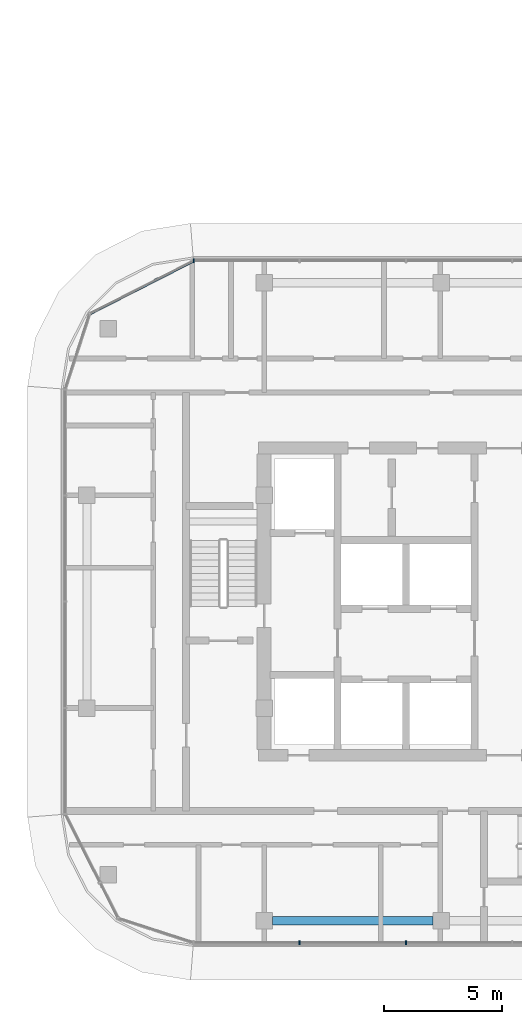
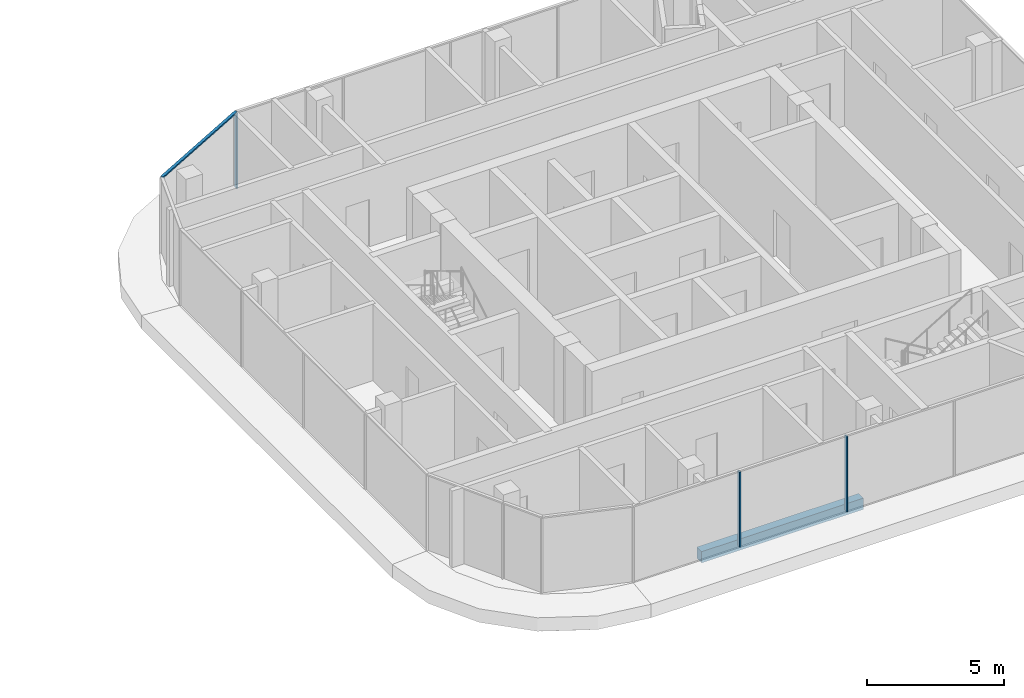
# One storey, part 10 of 40: 4 members, 1 beam, 3 elements without a shape of their own.
"""IFC4 building model written with IfcOpenShell, lengths in metres."""

from ifc_helpers import new_model, si_unit, direction, frame, origin, origin_2d, place, context, subcontext, project, spatial, rectangle, extrude, material, material_profile, profile_set, type_object, element, aggregate, save


model = new_model("IFC4")

# Units and contexts
model_context = context("Model", 3, precision=1e-05, world=origin(), true_north=direction((0.0, 1.0)))
body_context = subcontext(model_context, "Body", "Model", "MODEL_VIEW")
ifc_project = project(units=[si_unit("LENGTHUNIT", "METRE"), si_unit("AREAUNIT", "SQUARE_METRE"), si_unit("VOLUMEUNIT", "CUBIC_METRE"), si_unit("PLANEANGLEUNIT", "RADIAN"), si_unit("MASSUNIT", "GRAM", prefix="KILO")], contexts=[model_context])

# Site, building, storey
site_placement = place(None, origin())
site = spatial("IfcSite", under=ifc_project, at=site_placement, CompositionType="ELEMENT")
building_placement = place(site_placement, origin())
building = spatial("IfcBuilding", under=site, at=building_placement, Name="Ogive Portal Towers", CompositionType="ELEMENT")
storey_placement = place(building_placement, frame((0.0, 0.0, 87.10009765625)))
storey = spatial("IfcBuildingStorey", under=building, at=storey_placement, Name="L20", CompositionType="ELEMENT", Elevation=87.10009765625)

# Curtain wall, members
ifc_material_1 = material(Name="Glass, clear low-iron insulated glazing", Category="glass")
curtain_wall_type = type_object("IfcCurtainWallType", Name="CW RESIDENCES RIBBON", PredefinedType="NOTDEFINED", material=ifc_material_1)
curtain_wall_1_placement = place(storey_placement, origin())
curtain_wall_1 = element("IfcCurtainWall", 1, at=curtain_wall_1_placement, inside=storey, type_object=curtain_wall_type, Name="B:L20:f02:cw0", PredefinedType="NOTDEFINED")
ifc_material_2 = material(Name="Aluminium 6063 anodised", Category="aluminium")
ifc_material_profile_1 = material_profile(ifc_material_2, rectangle(XDim=0.159912109375, YDim=0.06005859375, at=origin_2d()), Name="AL 60x160")
ifc_profile_set_1 = profile_set([ifc_material_profile_1], Name="Aluminium 6063 anodised")
member_type_1 = type_object("IfcMemberType", Name="CW MULLION 60x160", PredefinedType="MULLION", material=ifc_profile_set_1)
member_1_placement = place(storey_placement, frame((130.5, 16.570068359375, 0.0), z_axis=(0.0, 0.0, 1.0), x_axis=(0.0, 1.0, 0.0)))
member_1 = element("IfcMember", 2, at=member_1_placement, type_object=member_type_1, Name="mullion", PredefinedType="MULLION", context=body_context, shape_type="SweptSolid", body=[
    extrude(rectangle(XDim=0.159912109375, YDim=0.06005859375, at=origin_2d()), origin(), (0.0, 0.0, 1.0), 3.33984375),
])
member_2_placement = place(storey_placement, frame((135.0, 16.570068359375, 0.0), z_axis=(0.0, 0.0, 1.0), x_axis=(0.0, 1.0, 0.0)))
member_2 = element("IfcMember", 3, at=member_2_placement, type_object=member_type_1, Name="mullion", PredefinedType="MULLION", context=body_context, shape_type="SweptSolid", body=[
    extrude(rectangle(XDim=0.159912109375, YDim=0.06005859375, at=origin_2d()), origin(), (0.0, 0.0, 1.0), 3.33984375),
])
aggregate(curtain_wall_1, [member_1, member_2])

# Curtain wall, member
curtain_wall_2_placement = place(storey_placement, origin())
curtain_wall_2 = element("IfcCurtainWall", 4, at=curtain_wall_2_placement, inside=storey, type_object=curtain_wall_type, Name="B:L20:f08:cw0", PredefinedType="NOTDEFINED")
member_3_placement = place(storey_placement, frame((126.019287109375, 45.429931640625, 0.0), z_axis=(0.0, 0.0, 1.0), x_axis=(0.0, -1.0, 0.0)))
member_3 = element("IfcMember", 5, at=member_3_placement, type_object=member_type_1, Name="mullion", PredefinedType="MULLION", context=body_context, shape_type="SweptSolid", body=[
    extrude(rectangle(XDim=0.159912109375, YDim=0.06005859375, at=origin_2d()), origin(), (0.0, 0.0, 1.0), 3.33984375),
])
aggregate(curtain_wall_2, [member_3])

curtain_wall_3_placement = place(storey_placement, origin())
curtain_wall_3 = element("IfcCurtainWall", 6, at=curtain_wall_3_placement, inside=storey, type_object=curtain_wall_type, Name="B:L20:f09:cwa", PredefinedType="NOTDEFINED")
ifc_material_profile_2 = material_profile(ifc_material_2, rectangle(XDim=0.1201171875, YDim=0.06005859375, at=origin_2d()), Name="AL 120x60")
ifc_profile_set_2 = profile_set([ifc_material_profile_2], Name="Aluminium 6063 anodised")
member_type_2 = type_object("IfcMemberType", Name="CW TRANSOM 60x120", PredefinedType="USERDEFINED", material=ifc_profile_set_2)
member_4_placement = place(storey_placement, frame((126.019287109375, 45.429931640625, 3.369873046875), z_axis=(-0.891008635106, -0.453986356807, 0.0), x_axis=(0.453986356807, -0.891008635106, 0.0)))
member_4 = element("IfcMember", 7, at=member_4_placement, type_object=member_type_2, Name="transom", ObjectType="TRANSOM", PredefinedType="USERDEFINED", context=body_context, shape_type="SweptSolid", body=[
    extrude(rectangle(XDim=0.1201171875, YDim=0.06005859375, at=origin_2d()), origin(), (0.0, 0.0, 1.0), 4.95068359375),
])
aggregate(curtain_wall_3, [member_4])

# Beam
ifc_material_3 = material(Name="Concrete C50/60", Category="concrete")
ifc_material_profile_3 = material_profile(ifc_material_3, rectangle(XDim=0.35009765625, YDim=0.5, at=origin_2d()), Name="RC 350x500")
ifc_profile_set_3 = profile_set([ifc_material_profile_3], Name="Concrete C50/60")
beam_type = type_object("IfcBeamType", Name="SPANDREL BEAM RC 350x500", PredefinedType="BEAM", material=ifc_profile_set_3)
beam_placement = place(storey_placement, frame((129.35009765625, 17.5, -0.550048828125), z_axis=(1.0, 0.0, 0.0), x_axis=(0.0, 1.0, 0.0)))
element("IfcBeam", 8, at=beam_placement, inside=storey, type_object=beam_type, Name="Spandrel beam L20", PredefinedType="BEAM", context=body_context, shape_type="SweptSolid", body=[
    extrude(rectangle(XDim=0.35009765625, YDim=0.5, at=origin_2d()), origin(), (0.0, 0.0, 1.0), 6.7998046875),
])

save(model, "model.ifc")
